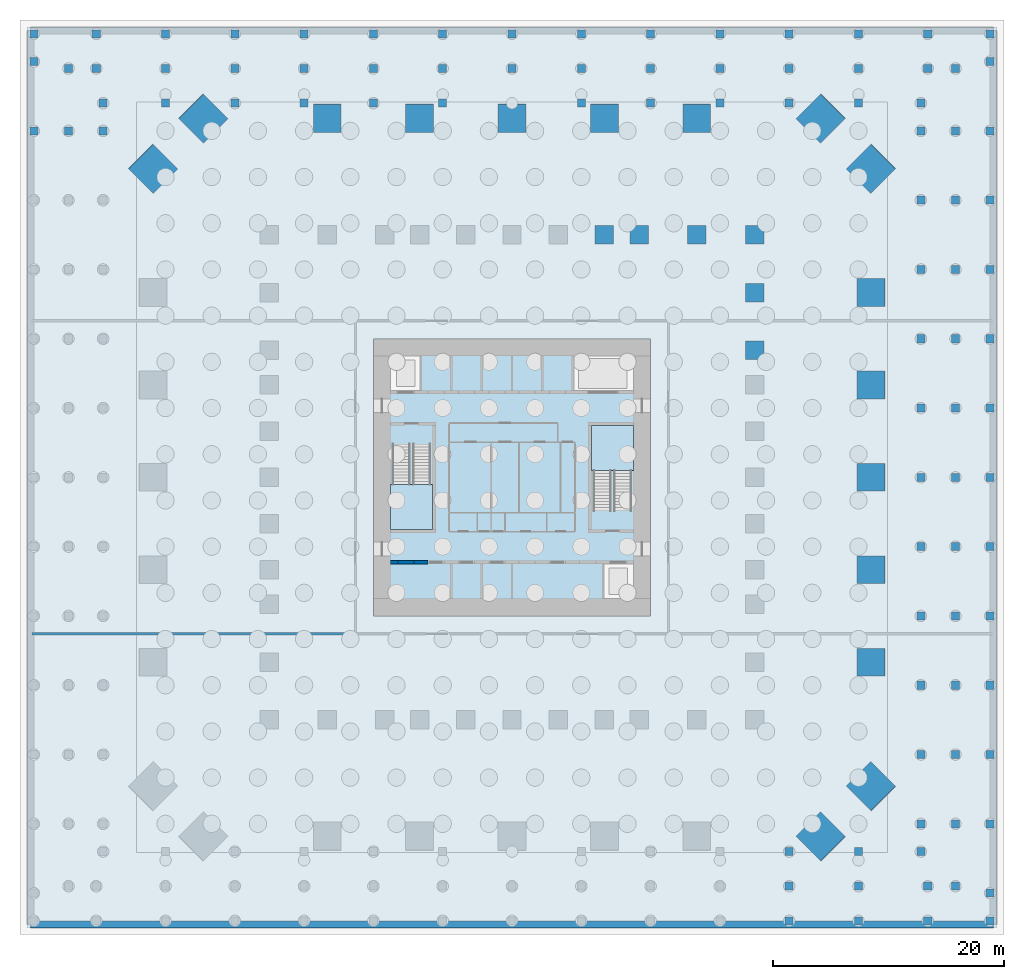
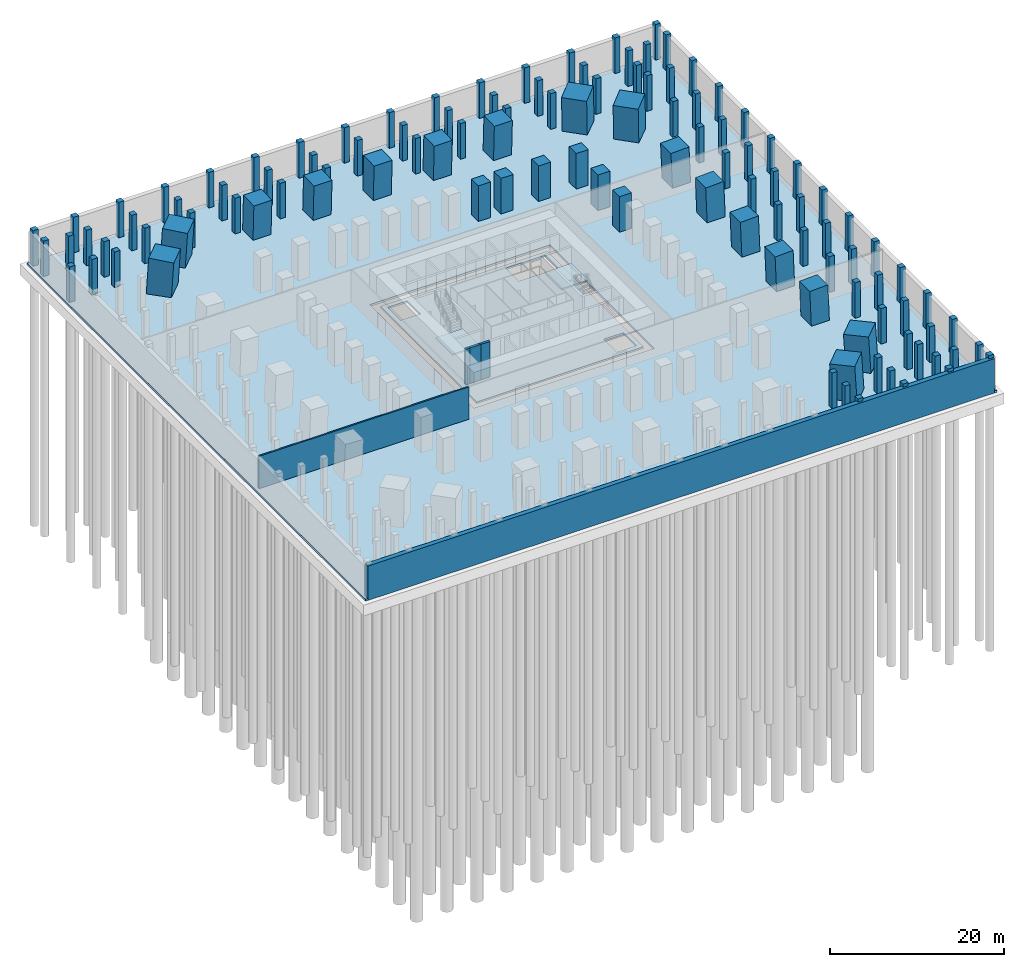
# One storey, part 3 of 8: 114 columns, 5 walls, 4 slabs, 2 elements without a shape of their own.
"""IFC4 building model written with IfcOpenShell, lengths in metres."""

from ifc_helpers import new_model, si_unit, direction, frame, frame_2d, origin, origin_2d, place, context, subcontext, project, spatial, polyline, rectangle, outline, extrude, material, layer, layer_set, material_profile, profile_set, type_object, element, aggregate, save


model = new_model("IFC4")

# Units and contexts
model_context = context("Model", 3, precision=1e-05, world=origin(), true_north=direction((0.0, 1.0)))
body_context = subcontext(model_context, "Body", "Model", "MODEL_VIEW")
ifc_project = project(units=[si_unit("LENGTHUNIT", "METRE"), si_unit("AREAUNIT", "SQUARE_METRE"), si_unit("VOLUMEUNIT", "CUBIC_METRE"), si_unit("PLANEANGLEUNIT", "RADIAN"), si_unit("MASSUNIT", "GRAM", prefix="KILO")], contexts=[model_context])

# Site, building, storey
site_placement = place(None, origin())
site = spatial("IfcSite", under=ifc_project, at=site_placement, CompositionType="ELEMENT")
building_placement = place(site_placement, origin())
building = spatial("IfcBuilding", under=site, at=building_placement, Name="Peilmerk Tower", CompositionType="ELEMENT")
storey_placement = place(building_placement, frame((0.0, 0.0, -5.0)))
storey = spatial("IfcBuildingStorey", under=building, at=storey_placement, Name="B-01", CompositionType="ELEMENT", Elevation=-5.0)

# Columns
ifc_material_1 = material(Name="Concrete C90/105", Category="concrete")
ifc_material_profile_1 = material_profile(ifc_material_1, rectangle(XDim=3.0, YDim=3.0, at=origin_2d()), Name="RC 3000x3000")
ifc_profile_set_1 = profile_set([ifc_material_profile_1], Name="Concrete C90/105")
column_type_1 = type_object("IfcColumnType", Name="MC1 3000x3000 encased mega column", PredefinedType="COLUMN", material=ifc_profile_set_1)
for number, where, z_axis, x_axis, name in (
    (1, (26.760498046875, 31.110595703125, -0.300048828125), (-0.040240469145, -0.040286458253, 0.998377536769), (0.707510496064, -0.706702835681, 0.0), "Mega column MC1 NE_N B-01"),
    (2, (31.110595703125, 26.760498046875, -0.300048828125), (-0.040286458253, -0.040240469145, 0.998377536769), (0.706702835681, -0.707510496064, 0.0), "Mega column MC1 NE_E B-01"),
    (3, (31.110595703125, -26.760498046875, -0.300048828125), (-0.040286458253, 0.040240469145, 0.998377536769), (-0.706702835681, -0.707510496064, 0.0), "Mega column MC1 SE_E B-01"),
    (4, (26.760498046875, -31.110595703125, -0.300048828125), (-0.040240469145, 0.040286458253, 0.998377536769), (-0.707510496064, -0.706702835681, 0.0), "Mega column MC1 SE_S B-01"),
    (5, (-31.110595703125, 26.760498046875, -0.300048828125), (0.040286458253, -0.040240469145, 0.998377536769), (0.706702835681, 0.707510496064, 0.0), "Mega column MC1 NW_W B-01"),
    (6, (-26.760498046875, 31.110595703125, -0.300048828125), (0.040240469145, -0.040286458253, 0.998377536769), (0.707510496064, 0.706702835681, 0.0), "Mega column MC1 NW_N B-01"),
):
    element("IfcColumn", number, at=place(storey_placement, frame(where, z_axis=z_axis, x_axis=x_axis)), inside=storey, type_object=column_type_1, Name=name, PredefinedType="COLUMN", context=body_context, shape_type="SweptSolid", body=[
        extrude(rectangle(XDim=3.0, YDim=3.0, at=origin_2d()), origin(), (0.0, 0.0, 1.0), 5.30859375),
    ])
ifc_material_2 = material(Name="Concrete C55/67", Category="concrete")
ifc_material_profile_2 = material_profile(ifc_material_2, rectangle(XDim=0.699951171875, YDim=0.699951171875, at=origin_2d()), Name="RC 700x700")
ifc_profile_set_2 = profile_set([ifc_material_profile_2], Name="Concrete C55/67")
column_type_2 = type_object("IfcColumnType", Name="PC1 700x700 podium column", PredefinedType="COLUMN", material=ifc_profile_set_2)
for number, where, z_axis, x_axis, name in (
    (7, (-35.39990234375, 30.0, -0.300048828125), (0.0, 0.0, 1.0), (1.0, 0.0, 0.0), "Podium column ring A B-01"),
    (8, (-35.39990234375, 32.39990234375, -0.300048828125), (0.0, 0.0, 1.0), (1.0, 0.0, 0.0), "Podium column ring A B-01"),
    (9, (-30.0, 32.39990234375, -0.300048828125), (0.0, 0.0, 1.0), (1.0, 0.0, 0.0), "Podium column ring A B-01"),
    (10, (-24.0, 32.39990234375, -0.300048828125), (0.0, 0.0, 1.0), (1.0, 0.0, 0.0), "Podium column ring A B-01"),
    (11, (-18.0, 32.39990234375, -0.300048828125), (0.0, 0.0, 1.0), (1.0, 0.0, 0.0), "Podium column ring A B-01"),
    (12, (-12.0, 32.39990234375, -0.300048828125), (0.0, 0.0, 1.0), (1.0, 0.0, 0.0), "Podium column ring A B-01"),
    (13, (-6.0, 32.39990234375, -0.300048828125), (0.0, 0.0, 1.0), (1.0, 0.0, 0.0), "Podium column ring A B-01"),
    (14, (6.0, 32.39990234375, -0.300048828125), (0.0, 0.0, 1.0), (1.0, 0.0, 0.0), "Podium column ring A B-01"),
    (15, (12.0, 32.39990234375, -0.300048828125), (0.0, 0.0, 1.0), (1.0, 0.0, 0.0), "Podium column ring A B-01"),
    (16, (18.0, 32.39990234375, -0.300048828125), (0.0, 0.0, 1.0), (1.0, 0.0, 0.0), "Podium column ring A B-01"),
    (17, (24.0, -32.39990234375, -0.300048828125), (0.0, 0.0, 1.0), (1.0, 0.0, 0.0), "Podium column ring A B-01"),
    (18, (24.0, 32.39990234375, -0.300048828125), (0.0, 0.0, 1.0), (1.0, 0.0, 0.0), "Podium column ring A B-01"),
    (19, (30.0, -32.39990234375, -0.300048828125), (0.0, 0.0, 1.0), (1.0, 0.0, 0.0), "Podium column ring A B-01"),
    (20, (30.0, 32.39990234375, -0.300048828125), (0.0, 0.0, 1.0), (1.0, 0.0, 0.0), "Podium column ring A B-01"),
    (21, (35.39990234375, -32.39990234375, -0.300048828125), (0.0, 0.0, 1.0), (1.0, 0.0, 0.0), "Podium column ring A B-01"),
    (22, (35.39990234375, -30.0, -0.300048828125), (0.0, 0.0, 1.0), (1.0, 0.0, 0.0), "Podium column ring A B-01"),
    (23, (35.39990234375, -24.0, -0.300048828125), (0.0, 0.0, 1.0), (1.0, 0.0, 0.0), "Podium column ring A B-01"),
    (24, (35.39990234375, -18.0, -0.300048828125), (0.0, 0.0, 1.0), (1.0, 0.0, 0.0), "Podium column ring A B-01"),
    (25, (35.39990234375, -12.0, -0.300048828125), (0.0, 0.0, 1.0), (1.0, 0.0, 0.0), "Podium column ring A B-01"),
    (26, (35.39990234375, -6.0, -0.300048828125), (0.0, 0.0, 1.0), (1.0, 0.0, 0.0), "Podium column ring A B-01"),
    (27, (35.39990234375, 0.0, -0.300048828125), (0.0, 0.0, 1.0), (1.0, 0.0, 0.0), "Podium column ring A B-01"),
    (28, (35.39990234375, 6.0, -0.300048828125), (0.0, 0.0, 1.0), (1.0, 0.0, 0.0), "Podium column ring A B-01"),
    (29, (35.39990234375, 12.0, -0.300048828125), (0.0, 0.0, 1.0), (1.0, 0.0, 0.0), "Podium column ring A B-01"),
    (30, (35.39990234375, 18.0, -0.300048828125), (0.0, 0.0, 1.0), (1.0, 0.0, 0.0), "Podium column ring A B-01"),
    (31, (35.39990234375, 24.0, -0.300048828125), (0.0, 0.0, 1.0), (1.0, 0.0, 0.0), "Podium column ring A B-01"),
    (32, (35.39990234375, 30.0, -0.300048828125), (0.0, 0.0, 1.0), (1.0, 0.0, 0.0), "Podium column ring A B-01"),
    (33, (35.39990234375, 32.39990234375, -0.300048828125), (0.0, 0.0, 1.0), (1.0, 0.0, 0.0), "Podium column ring A B-01"),
    (34, (-38.39990234375, 30.0, -0.300048828125), (0.0, 0.0, 1.0), (1.0, 0.0, 0.0), "Podium column ring B B-01"),
    (35, (-38.39990234375, 35.39990234375, -0.300048828125), (0.0, 0.0, 1.0), (1.0, 0.0, 0.0), "Podium column ring B B-01"),
    (36, (-36.0, 35.39990234375, -0.300048828125), (0.0, 0.0, 1.0), (1.0, 0.0, 0.0), "Podium column ring B B-01"),
    (37, (-30.0, 35.39990234375, -0.300048828125), (0.0, 0.0, 1.0), (1.0, 0.0, 0.0), "Podium column ring B B-01"),
    (38, (-24.0, 35.39990234375, -0.300048828125), (0.0, 0.0, 1.0), (1.0, 0.0, 0.0), "Podium column ring B B-01"),
    (39, (-18.0, 35.39990234375, -0.300048828125), (0.0, 0.0, 1.0), (1.0, 0.0, 0.0), "Podium column ring B B-01"),
    (40, (-12.0, 35.39990234375, -0.300048828125), (0.0, 0.0, 1.0), (1.0, 0.0, 0.0), "Podium column ring B B-01"),
    (41, (-6.0, 35.39990234375, -0.300048828125), (0.0, 0.0, 1.0), (1.0, 0.0, 0.0), "Podium column ring B B-01"),
    (42, (0.0, 35.39990234375, -0.300048828125), (0.0, 0.0, 1.0), (1.0, 0.0, 0.0), "Podium column ring B B-01"),
    (43, (6.0, 35.39990234375, -0.300048828125), (0.0, 0.0, 1.0), (1.0, 0.0, 0.0), "Podium column ring B B-01"),
    (44, (12.0, 35.39990234375, -0.300048828125), (0.0, 0.0, 1.0), (1.0, 0.0, 0.0), "Podium column ring B B-01"),
    (45, (18.0, 35.39990234375, -0.300048828125), (0.0, 0.0, 1.0), (1.0, 0.0, 0.0), "Podium column ring B B-01"),
    (46, (24.0, -35.39990234375, -0.300048828125), (0.0, 0.0, 1.0), (1.0, 0.0, 0.0), "Podium column ring B B-01"),
    (47, (24.0, 35.39990234375, -0.300048828125), (0.0, 0.0, 1.0), (1.0, 0.0, 0.0), "Podium column ring B B-01"),
    (48, (30.0, -35.39990234375, -0.300048828125), (0.0, 0.0, 1.0), (1.0, 0.0, 0.0), "Podium column ring B B-01"),
    (49, (30.0, 35.39990234375, -0.300048828125), (0.0, 0.0, 1.0), (1.0, 0.0, 0.0), "Podium column ring B B-01"),
    (50, (36.0, -35.39990234375, -0.300048828125), (0.0, 0.0, 1.0), (1.0, 0.0, 0.0), "Podium column ring B B-01"),
    (51, (36.0, 35.39990234375, -0.300048828125), (0.0, 0.0, 1.0), (1.0, 0.0, 0.0), "Podium column ring B B-01"),
    (52, (38.39990234375, -35.39990234375, -0.300048828125), (0.0, 0.0, 1.0), (1.0, 0.0, 0.0), "Podium column ring B B-01"),
    (53, (38.39990234375, -30.0, -0.300048828125), (0.0, 0.0, 1.0), (1.0, 0.0, 0.0), "Podium column ring B B-01"),
    (54, (38.39990234375, -24.0, -0.300048828125), (0.0, 0.0, 1.0), (1.0, 0.0, 0.0), "Podium column ring B B-01"),
    (55, (38.39990234375, -18.0, -0.300048828125), (0.0, 0.0, 1.0), (1.0, 0.0, 0.0), "Podium column ring B B-01"),
    (56, (38.39990234375, -12.0, -0.300048828125), (0.0, 0.0, 1.0), (1.0, 0.0, 0.0), "Podium column ring B B-01"),
    (57, (38.39990234375, -6.0, -0.300048828125), (0.0, 0.0, 1.0), (1.0, 0.0, 0.0), "Podium column ring B B-01"),
    (58, (38.39990234375, 0.0, -0.300048828125), (0.0, 0.0, 1.0), (1.0, 0.0, 0.0), "Podium column ring B B-01"),
    (59, (38.39990234375, 6.0, -0.300048828125), (0.0, 0.0, 1.0), (1.0, 0.0, 0.0), "Podium column ring B B-01"),
    (60, (38.39990234375, 12.0, -0.300048828125), (0.0, 0.0, 1.0), (1.0, 0.0, 0.0), "Podium column ring B B-01"),
    (61, (38.39990234375, 18.0, -0.300048828125), (0.0, 0.0, 1.0), (1.0, 0.0, 0.0), "Podium column ring B B-01"),
    (62, (38.39990234375, 24.0, -0.300048828125), (0.0, 0.0, 1.0), (1.0, 0.0, 0.0), "Podium column ring B B-01"),
    (63, (38.39990234375, 30.0, -0.300048828125), (0.0, 0.0, 1.0), (1.0, 0.0, 0.0), "Podium column ring B B-01"),
    (64, (38.39990234375, 35.39990234375, -0.300048828125), (0.0, 0.0, 1.0), (1.0, 0.0, 0.0), "Podium column ring B B-01"),
    (65, (-41.39990234375, 30.0, -0.300048828125), (0.0, 0.0, 1.0), (1.0, 0.0, 0.0), "Podium column ring C B-01"),
    (66, (-41.39990234375, 36.0, -0.300048828125), (0.0, 0.0, 1.0), (1.0, 0.0, 0.0), "Podium column ring C B-01"),
    (67, (-41.39990234375, 38.39990234375, -0.300048828125), (0.0, 0.0, 1.0), (1.0, 0.0, 0.0), "Podium column ring C B-01"),
    (68, (-36.0, 38.39990234375, -0.300048828125), (0.0, 0.0, 1.0), (1.0, 0.0, 0.0), "Podium column ring C B-01"),
    (69, (-30.0, 38.39990234375, -0.300048828125), (0.0, 0.0, 1.0), (1.0, 0.0, 0.0), "Podium column ring C B-01"),
    (70, (-24.0, 38.39990234375, -0.300048828125), (0.0, 0.0, 1.0), (1.0, 0.0, 0.0), "Podium column ring C B-01"),
    (71, (-18.0, 38.39990234375, -0.300048828125), (0.0, 0.0, 1.0), (1.0, 0.0, 0.0), "Podium column ring C B-01"),
    (72, (-12.0, 38.39990234375, -0.300048828125), (0.0, 0.0, 1.0), (1.0, 0.0, 0.0), "Podium column ring C B-01"),
    (73, (-6.0, 38.39990234375, -0.300048828125), (0.0, 0.0, 1.0), (1.0, 0.0, 0.0), "Podium column ring C B-01"),
    (74, (0.0, 38.39990234375, -0.300048828125), (0.0, 0.0, 1.0), (1.0, 0.0, 0.0), "Podium column ring C B-01"),
    (75, (6.0, 38.39990234375, -0.300048828125), (0.0, 0.0, 1.0), (1.0, 0.0, 0.0), "Podium column ring C B-01"),
    (76, (12.0, 38.39990234375, -0.300048828125), (0.0, 0.0, 1.0), (1.0, 0.0, 0.0), "Podium column ring C B-01"),
    (77, (18.0, 38.39990234375, -0.300048828125), (0.0, 0.0, 1.0), (1.0, 0.0, 0.0), "Podium column ring C B-01"),
    (78, (24.0, -38.39990234375, -0.300048828125), (0.0, 0.0, 1.0), (1.0, 0.0, 0.0), "Podium column ring C B-01"),
    (79, (24.0, 38.39990234375, -0.300048828125), (0.0, 0.0, 1.0), (1.0, 0.0, 0.0), "Podium column ring C B-01"),
    (80, (30.0, -38.39990234375, -0.300048828125), (0.0, 0.0, 1.0), (1.0, 0.0, 0.0), "Podium column ring C B-01"),
    (81, (30.0, 38.39990234375, -0.300048828125), (0.0, 0.0, 1.0), (1.0, 0.0, 0.0), "Podium column ring C B-01"),
    (82, (36.0, -38.39990234375, -0.300048828125), (0.0, 0.0, 1.0), (1.0, 0.0, 0.0), "Podium column ring C B-01"),
    (83, (36.0, 38.39990234375, -0.300048828125), (0.0, 0.0, 1.0), (1.0, 0.0, 0.0), "Podium column ring C B-01"),
    (84, (41.39990234375, -38.39990234375, -0.300048828125), (0.0, 0.0, 1.0), (1.0, 0.0, 0.0), "Podium column ring C B-01"),
    (85, (41.39990234375, -36.0, -0.300048828125), (0.0, 0.0, 1.0), (1.0, 0.0, 0.0), "Podium column ring C B-01"),
    (86, (41.39990234375, -30.0, -0.300048828125), (0.0, 0.0, 1.0), (1.0, 0.0, 0.0), "Podium column ring C B-01"),
    (87, (41.39990234375, -24.0, -0.300048828125), (0.0, 0.0, 1.0), (1.0, 0.0, 0.0), "Podium column ring C B-01"),
    (88, (41.39990234375, -18.0, -0.300048828125), (0.0, 0.0, 1.0), (1.0, 0.0, 0.0), "Podium column ring C B-01"),
    (89, (41.39990234375, -12.0, -0.300048828125), (0.0, 0.0, 1.0), (1.0, 0.0, 0.0), "Podium column ring C B-01"),
    (90, (41.39990234375, -6.0, -0.300048828125), (0.0, 0.0, 1.0), (1.0, 0.0, 0.0), "Podium column ring C B-01"),
    (91, (41.39990234375, 0.0, -0.300048828125), (0.0, 0.0, 1.0), (1.0, 0.0, 0.0), "Podium column ring C B-01"),
    (92, (41.39990234375, 6.0, -0.300048828125), (0.0, 0.0, 1.0), (1.0, 0.0, 0.0), "Podium column ring C B-01"),
    (93, (41.39990234375, 12.0, -0.300048828125), (0.0, 0.0, 1.0), (1.0, 0.0, 0.0), "Podium column ring C B-01"),
    (94, (41.39990234375, 18.0, -0.300048828125), (0.0, 0.0, 1.0), (1.0, 0.0, 0.0), "Podium column ring C B-01"),
    (95, (41.39990234375, 24.0, -0.300048828125), (0.0, 0.0, 1.0), (1.0, 0.0, 0.0), "Podium column ring C B-01"),
    (96, (41.39990234375, 30.0, -0.300048828125), (0.0, 0.0, 1.0), (1.0, 0.0, 0.0), "Podium column ring C B-01"),
    (97, (41.39990234375, 36.0, -0.300048828125), (0.0, 0.0, 1.0), (1.0, 0.0, 0.0), "Podium column ring C B-01"),
    (98, (41.39990234375, 38.39990234375, -0.300048828125), (0.0, 0.0, 1.0), (1.0, 0.0, 0.0), "Podium column ring C B-01"),
):
    element("IfcColumn", number, at=place(storey_placement, frame(where, z_axis=z_axis, x_axis=x_axis)), inside=storey, type_object=column_type_2, Name=name, PredefinedType="COLUMN", context=body_context, shape_type="SweptSolid", body=[
        extrude(rectangle(XDim=0.699951171875, YDim=0.699951171875, at=origin_2d()), origin(), (0.0, 0.0, 1.0), 5.300048828125),
    ])
ifc_material_profile_3 = material_profile(ifc_material_1, rectangle(XDim=2.39990234375, YDim=2.39990234375, at=origin_2d()), Name="RC 2400x2400")
ifc_profile_set_3 = profile_set([ifc_material_profile_3], Name="Concrete C90/105")
column_type_3 = type_object("IfcColumnType", Name="SC1 2400x2400 encased perimeter column", PredefinedType="COLUMN", material=ifc_profile_set_3)
for number, where, z_axis, x_axis, name in (
    (99, (0.0, 31.110595703125, -0.300048828125), (0.0, -0.040319115757, 0.999186853849), (1.0, 0.0, 0.0), "Perimeter column N+0 B-01"),
    (100, (8.0, 31.110595703125, -0.300048828125), (0.0, -0.040319115757, 0.999186853849), (1.0, 0.0, 0.0), "Perimeter column N-8 B-01"),
    (101, (-8.0, 31.110595703125, -0.300048828125), (0.0, -0.040319115757, 0.999186853849), (1.0, 0.0, 0.0), "Perimeter column N+8 B-01"),
    (102, (16.0, 31.110595703125, -0.300048828125), (0.0, -0.040319115757, 0.999186853849), (1.0, 0.0, 0.0), "Perimeter column N-16 B-01"),
    (103, (-16.0, 31.110595703125, -0.300048828125), (0.0, -0.040319115757, 0.999186853849), (1.0, 0.0, 0.0), "Perimeter column N+16 B-01"),
    (104, (31.110595703125, 0.0, -0.300048828125), (-0.040319115757, 0.0, 0.999186853849), (0.0, -1.0, 0.0), "Perimeter column E+0 B-01"),
    (105, (31.110595703125, -8.0, -0.300048828125), (-0.040319115757, 0.0, 0.999186853849), (0.0, -1.0, 0.0), "Perimeter column E-8 B-01"),
    (106, (31.110595703125, 8.0, -0.300048828125), (-0.040319115757, 0.0, 0.999186853849), (0.0, -1.0, 0.0), "Perimeter column E+8 B-01"),
    (107, (31.110595703125, -16.0, -0.300048828125), (-0.040319115757, 0.0, 0.999186853849), (0.0, -1.0, 0.0), "Perimeter column E-16 B-01"),
    (108, (31.110595703125, 16.0, -0.300048828125), (-0.040319115757, 0.0, 0.999186853849), (0.0, -1.0, 0.0), "Perimeter column E+16 B-01"),
):
    element("IfcColumn", number, at=place(storey_placement, frame(where, z_axis=z_axis, x_axis=x_axis)), inside=storey, type_object=column_type_3, Name=name, PredefinedType="COLUMN", context=body_context, shape_type="SweptSolid", body=[
        extrude(rectangle(XDim=2.39990234375, YDim=2.39990234375, at=origin_2d()), origin(), (0.0, 0.0, 1.0), 5.304443359375),
    ])
ifc_material_profile_4 = material_profile(ifc_material_1, rectangle(XDim=1.60009765625, YDim=1.60009765625, at=origin_2d()), Name="RC 1600x1600")
ifc_profile_set_4 = profile_set([ifc_material_profile_4], Name="Concrete C90/105")
column_type_4 = type_object("IfcColumnType", Name="SC2 1600x1600 encased interior column", PredefinedType="COLUMN", material=ifc_profile_set_4)
for number, where, z_axis, x_axis, name in (
    (109, (8.0, 21.0, -0.300048828125), (0.0, 0.0, 1.0), (1.0, 0.0, 0.0), "Interior column N-8 B-01"),
    (110, (11.0, 21.0, -0.300048828125), (0.0, 0.0, 1.0), (1.0, 0.0, 0.0), "Interior column N-11 B-01"),
    (111, (16.0, 21.0, -0.300048828125), (0.0, 0.0, 1.0), (1.0, 0.0, 0.0), "Interior column N-16 B-01"),
    (112, (21.0, 11.0, -0.300048828125), (0.0, 0.0, 1.0), (1.0, 0.0, 0.0), "Interior column E+11 B-01"),
    (113, (21.0, 16.0, -0.300048828125), (0.0, 0.0, 1.0), (1.0, 0.0, 0.0), "Interior column E+16 B-01"),
    (114, (21.0, 21.0, -0.300048828125), (0.0, 0.0, 1.0), (1.0, 0.0, 0.0), "Interior column NE B-01"),
):
    element("IfcColumn", number, at=place(storey_placement, frame(where, z_axis=z_axis, x_axis=x_axis)), inside=storey, type_object=column_type_4, Name=name, PredefinedType="COLUMN", context=body_context, shape_type="SweptSolid", body=[
        extrude(rectangle(XDim=1.60009765625, YDim=1.60009765625, at=origin_2d()), origin(), (0.0, 0.0, 1.0), 5.300048828125),
    ])

# Slabs
ifc_material_3 = material(Name="Concrete C35/45", Category="concrete")
ifc_layer_1 = layer(ifc_material_3, 0.300048828125)
ifc_layer_set_1 = layer_set([ifc_layer_1], Name="Concrete C35/45")
slab_type_1 = type_object("IfcSlabType", Name="BS300 300 basement ground slab", PredefinedType="BASESLAB", material=ifc_layer_set_1)
slab_1_placement = place(storey_placement, frame((0.0, 0.0, -0.300048828125)))
element("IfcSlab", 115, at=slab_1_placement, inside=storey, type_object=slab_type_1, Name="Basement ground slab B-01", PredefinedType="BASESLAB", context=body_context, shape_type="SweptSolid", body=[
    extrude(outline(polyline([(-42.0, -39.0), (42.0, -39.0), (42.0, 39.0), (-42.0, 39.0), (-42.0, -39.0)]), holes=[polyline([(12.0, 12.0), (12.0, -12.0), (-12.0, -12.0), (-12.0, 12.0), (12.0, 12.0)])]), origin(), (0.0, 0.0, 1.0), 0.300048828125),
])
ifc_layer_2 = layer(ifc_material_2, 0.25)
ifc_layer_set_2 = layer_set([ifc_layer_2], Name="Concrete C55/67")
slab_type_2 = type_object("IfcSlabType", Name="CS250 250 core floor slab", PredefinedType="FLOOR", material=ifc_layer_set_2)
slab_2_placement = place(storey_placement, frame((0.0, 0.0, -0.25)))
element("IfcSlab", 116, at=slab_2_placement, inside=storey, type_object=slab_type_2, Name="Core slab B-01", PredefinedType="FLOOR", context=body_context, shape_type="SweptSolid", body=[
    extrude(outline(polyline([(11.10009765625, 11.10009765625), (-11.10009765625, 11.10009765625), (-11.10009765625, -11.10009765625), (11.10009765625, -11.10009765625), (11.10009765625, 11.10009765625)]), holes=[polyline([(-10.5, 7.5), (-10.5, 10.5), (-7.875, 10.5), (-7.875, 7.5), (-10.5, 7.5)]), polyline([(5.25, 10.5), (10.5, 10.5), (10.5, 7.5), (5.25, 7.5), (5.25, 10.5)]), polyline([(10.5, -7.5), (10.5, -10.5), (7.875, -10.5), (7.875, -7.5), (10.5, -7.5)])]), origin(), (0.0, 0.0, 1.0), 0.25),
])

# Stair, slab
ifc_material_4 = material(Name="Precast concrete C45/55", Category="concrete")
stair_type_1 = type_object("IfcStairType", Name="ST1 28 risers of 178.6", PredefinedType="HALF_TURN_STAIR", material=ifc_material_4)
stair_1_placement = place(storey_placement, origin())
stair_1 = element("IfcStair", 117, at=stair_1_placement, inside=storey, type_object=stair_type_1, Name="Stair 1 B-01 to L00", PredefinedType="HALF_TURN_STAIR")
ifc_layer_3 = layer(ifc_material_3, 0.199951171875)
ifc_layer_set_3 = layer_set([ifc_layer_3], Name="Concrete C35/45")
slab_type_3 = type_object("IfcSlabType", Name="SL1 200 concrete stair landing", PredefinedType="LANDING", material=ifc_layer_set_3)
slab_3_placement = place(storey_placement, frame((0.0, 0.0, 2.300048828125)))
slab_3 = element("IfcSlab", 118, at=slab_3_placement, type_object=slab_type_3, Name="ST1 landing 1", PredefinedType="LANDING", context=body_context, shape_type="SweptSolid", body=[
    extrude(outline(polyline([(-10.5, -4.5), (-6.89990234375, -4.5), (-6.89990234375, -0.610107421875), (-10.5, -0.610107421875), (-10.5, -4.5)])), origin(), (0.0, 0.0, 1.0), 0.199951171875),
])
aggregate(stair_1, [slab_3])

stair_type_2 = type_object("IfcStairType", Name="ST2 28 risers of 178.6", PredefinedType="HALF_TURN_STAIR", material=ifc_material_4)
stair_2_placement = place(storey_placement, origin())
stair_2 = element("IfcStair", 119, at=stair_2_placement, inside=storey, type_object=stair_type_2, Name="Stair 2 B-01 to L00", PredefinedType="HALF_TURN_STAIR")
slab_4_placement = place(storey_placement, frame((0.0, 0.0, 2.300048828125)))
slab_4 = element("IfcSlab", 120, at=slab_4_placement, type_object=slab_type_3, Name="ST2 landing 1", PredefinedType="LANDING", context=body_context, shape_type="SweptSolid", body=[
    extrude(outline(polyline([(6.89990234375, 0.610107421875), (10.5, 0.610107421875), (10.5, 4.5), (6.89990234375, 4.5), (6.89990234375, 0.610107421875)])), origin(), (0.0, 0.0, 1.0), 0.199951171875),
])
aggregate(stair_2, [slab_4])

# Walls
ifc_material_5 = material(Name="Calcium silicate block", Category="masonry")
ifc_layer_4 = layer(ifc_material_5, 0.199951171875)
ifc_layer_set_4 = layer_set([ifc_layer_4], Name="Calcium silicate block")
wall_type_1 = type_object("IfcWallType", Name="IW2 200 room separating wall, EI 120", PredefinedType="PARTITIONING", material=ifc_layer_set_4)
wall_1_placement = place(storey_placement, frame((-13.625, -13.550048828125, 0.0), z_axis=(0.0, 0.0, 1.0), x_axis=(-1.0, 0.0, 0.0)))
element("IfcWall", 121, at=wall_1_placement, inside=storey, type_object=wall_type_1, Name="Room separating wall SW B-01", PredefinedType="PARTITIONING", context=body_context, shape_type="SweptSolid", body=[
    extrude(rectangle(XDim=27.925048828125, YDim=0.199951171875, at=frame_2d((13.96240234375, 0.0))), origin(), (0.0, 0.0, 1.0), 4.550048828125),
])
ifc_layer_5 = layer(ifc_material_2, 0.60009765625)
ifc_layer_set_5 = layer_set([ifc_layer_5], Name="Concrete C55/67")
wall_type_2 = type_object("IfcWallType", Name="RW1 600 basement retaining wall", PredefinedType="SOLIDWALL", material=ifc_layer_set_5)
wall_2_placement = place(storey_placement, frame((-41.699951171875, -38.699951171875, -0.300048828125), z_axis=(0.0, 0.0, 1.0), x_axis=(1.0, 0.0, 0.0)))
element("IfcWall", 122, at=wall_2_placement, inside=storey, type_object=wall_type_2, Name="Basement retaining wall 1", PredefinedType="SOLIDWALL", context=body_context, shape_type="SweptSolid", body=[
    extrude(rectangle(XDim=83.39990234375, YDim=0.60009765625, at=frame_2d((41.699951171875, 0.0))), origin(), (0.0, 0.0, 1.0), 4.85009765625),
])
ifc_layer_6 = layer(ifc_material_5, 0.300048828125)
ifc_layer_set_6 = layer_set([ifc_layer_6], Name="Calcium silicate block")
wall_type_3 = type_object("IfcWallType", Name="SH2 300 lift landing door panel, EI 120", PredefinedType="PARTITIONING", material=ifc_layer_set_6)
wall_3_placement = place(storey_placement, frame((-9.887451171875, -7.35009765625, -0.300048828125), z_axis=(0.0, 0.0, 1.0), x_axis=(1.0, 0.0, 0.0)))
element("IfcWall", 123, at=wall_3_placement, inside=storey, type_object=wall_type_3, Name="Lift door panel S C4 B-01", PredefinedType="PARTITIONING", context=body_context, shape_type="SweptSolid", body=[
    extrude(rectangle(XDim=1.39990234375, YDim=0.300048828125, at=frame_2d((0.699951171875, 0.0))), origin(), (0.0, 0.0, 1.0), 5.300048828125),
])
ifc_layer_7 = layer(ifc_material_2, 0.300048828125)
ifc_layer_set_7 = layer_set([ifc_layer_7], Name="Concrete C55/67")
wall_type_4 = type_object("IfcWallType", Name="SW2 300 lift bank pier", PredefinedType="SHEAR", material=ifc_layer_set_7)
wall_4_placement = place(storey_placement, frame((-10.5, -7.35009765625, -0.300048828125), z_axis=(0.0, 0.0, 1.0), x_axis=(1.0, 0.0, 0.0)))
element("IfcWall", 124, at=wall_4_placement, inside=storey, type_object=wall_type_4, Name="Lift bank pier S B-01", PredefinedType="SHEAR", context=body_context, shape_type="SweptSolid", body=[
    extrude(rectangle(XDim=0.612548828125, YDim=0.300048828125, at=frame_2d((0.30615234375, 0.0))), origin(), (0.0, 0.0, 1.0), 5.300048828125),
])
wall_5_placement = place(storey_placement, frame((-8.487548828125, -7.35009765625, -0.300048828125), z_axis=(0.0, 0.0, 1.0), x_axis=(1.0, 0.0, 0.0)))
element("IfcWall", 125, at=wall_5_placement, inside=storey, type_object=wall_type_4, Name="Lift bank pier S B-01", PredefinedType="SHEAR", context=body_context, shape_type="SweptSolid", body=[
    extrude(rectangle(XDim=1.22509765625, YDim=0.300048828125, at=frame_2d((0.612548828125, 0.0))), origin(), (0.0, 0.0, 1.0), 5.300048828125),
])

save(model, "model.ifc")
